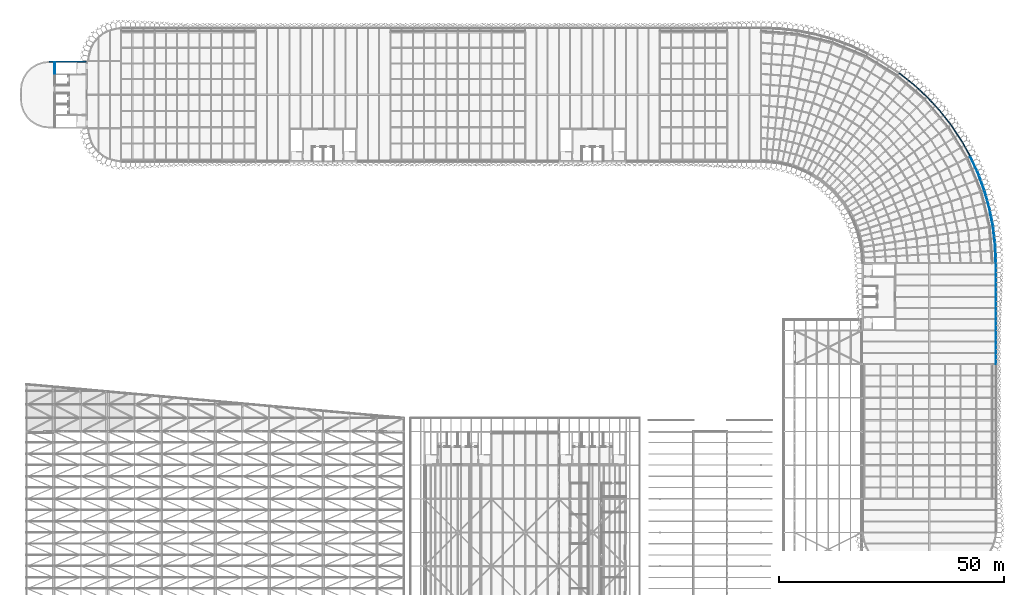
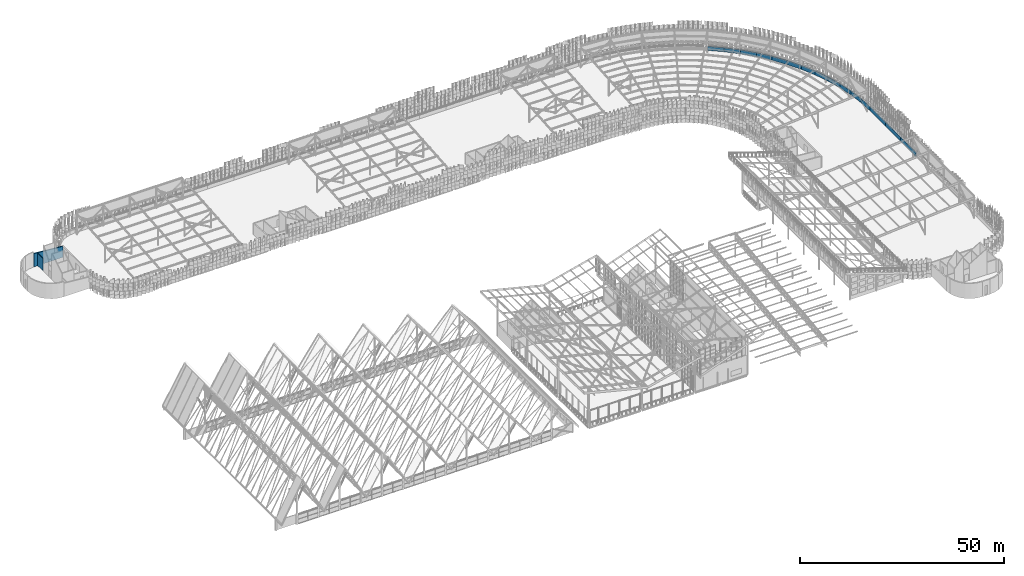
# One storey, part 126 of 483: 17 walls.
"""IFC4 building model written with IfcOpenShell, lengths in metres."""

from ifc_helpers import new_model, si_unit, direction, frame, frame_2d, origin, place, context, subcontext, project, spatial, polyline, rectangle, outline, extrude, material, layer, layer_set, type_object, element, save


model = new_model("IFC4")

# Units and contexts
model_context = context("Model", 3, precision=1e-05, world=origin(), true_north=direction((0.0, 1.0)))
body_context = subcontext(model_context, "Body", "Model", "MODEL_VIEW")
ifc_project = project(units=[si_unit("LENGTHUNIT", "METRE"), si_unit("AREAUNIT", "SQUARE_METRE"), si_unit("VOLUMEUNIT", "CUBIC_METRE"), si_unit("PLANEANGLEUNIT", "RADIAN"), si_unit("MASSUNIT", "GRAM", prefix="KILO")], contexts=[model_context])

# Site, building, storey
site_placement = place(None, origin())
site = spatial("IfcSite", under=ifc_project, at=site_placement, CompositionType="ELEMENT")
building_placement = place(site_placement, origin())
building = spatial("IfcBuilding", under=site, at=building_placement, Name="Parallax Yard Mobility Hub", CompositionType="ELEMENT")
storey_placement = place(building_placement, frame((0.0, 0.0, 13.199951171875)))
storey = spatial("IfcBuildingStorey", under=building, at=storey_placement, Name="L04", CompositionType="ELEMENT", Elevation=13.199951171875)

# Walls
ifc_material = material(Name="Concrete fc' 35 MPa", Category="concrete")
ifc_layer_1 = layer(ifc_material, 0.300048828125)
ifc_layer_set_1 = layer_set([ifc_layer_1], Name="Concrete fc' 35 MPa core wall 300")
wall_type_1 = type_object("IfcWallType", Name="Concrete fc' 35 MPa core wall 300", PredefinedType="SHEAR", material=ifc_layer_set_1)
wall_1_placement = place(storey_placement, frame((14.0, 134.85009765625, 0.0), z_axis=(0.0, 0.0, 1.0), x_axis=(1.0, 0.0, 0.0)))
element("IfcWall", 1, at=wall_1_placement, inside=storey, type_object=wall_type_1, Name="Core C-W east-side end wall level L04", PredefinedType="SHEAR", context=body_context, shape_type="SweptSolid", body=[
    extrude(outline(polyline([(0.0, 0.0), (8.199951171875, 0.0), (8.199951171875, 3.300048828125), (0.0, 3.9833984375), (0.0, 0.0)])), frame((0.0, 0.14990234375, 0.0), z_axis=(0.0, -1.0, 0.0), x_axis=(1.0, 0.0, 0.0)), (0.0, 0.0, 1.0), 0.300048828125),
])
ifc_layer_2 = layer(ifc_material, 0.199951171875)
ifc_layer_set_2 = layer_set([ifc_layer_2], Name="Concrete fc' 35 MPa internal core wall 200")
wall_type_2 = type_object("IfcWallType", Name="Concrete fc' 35 MPa internal core wall 200", PredefinedType="STANDARD", material=ifc_layer_set_2)
wall_2_placement = place(storey_placement, frame((15.199951171875, 132.14990234375, 0.0), z_axis=(0.0, 0.0, 1.0), x_axis=(0.0, 1.0, 0.0)))
element("IfcWall", 2, at=wall_2_placement, inside=storey, type_object=wall_type_2, Name="Core C-W plant wall 5 part 5 level L04", PredefinedType="STANDARD", context=body_context, shape_type="SweptSolid", body=[
    extrude(rectangle(XDim=2.550048828125, YDim=0.199951171875, at=frame_2d((1.27490234375, 0.0))), origin(), (0.0, 0.0, 1.0), 3.683349609375),
])
ifc_layer_3 = layer(ifc_material, 0.199951171875)
ifc_layer_set_3 = layer_set([ifc_layer_3], Name="Roof parapet wall, Concrete fc' 35 MPa precast, 200")
wall_type_3 = type_object("IfcWallType", Name="Roof parapet wall, Concrete fc' 35 MPa precast, 200", PredefinedType="SOLIDWALL", material=ifc_layer_set_3)
for number, where, z_axis, x_axis, name in (
    (3, (224.85400390625, 67.502197265625, 0.0), (0.0, 0.0, 1.0), (0.0, 1.0, 0.0), "Roof parapet wall bay 38 level L04"),
    (4, (224.85400390625, 75.002197265625, 0.0), (0.0, 0.0, 1.0), (0.0, 1.0, 0.0), "Roof parapet wall bay 39 level L04"),
):
    element("IfcWall", number, at=place(storey_placement, frame(where, z_axis=z_axis, x_axis=x_axis)), inside=storey, type_object=wall_type_3, Name=name, PredefinedType="SOLIDWALL", context=body_context, shape_type="SweptSolid", body=[
        extrude(rectangle(XDim=7.49609375, YDim=0.199951171875, at=frame_2d((3.748046875, 0.0))), origin(), (0.0, 0.0, 1.0), 1.199951171875),
    ])
wall_3_placement = place(storey_placement, frame((224.85400390625, 82.502197265625, 0.0), z_axis=(0.0, 0.0, 1.0), x_axis=(0.0, 1.0, 0.0)))
element("IfcWall", 5, at=wall_3_placement, inside=storey, type_object=wall_type_3, Name="Roof parapet wall bay 40 level L04", PredefinedType="SOLIDWALL", context=body_context, shape_type="SweptSolid", body=[
    extrude(rectangle(XDim=7.4921875, YDim=0.199951171875, at=frame_2d((3.74609375, 0.0))), origin(), (0.0, 0.0, 1.0), 1.199951171875),
])
wall_4_placement = place(storey_placement, frame((224.853759765625, 90.00048828125, 0.0), z_axis=(0.0, 0.0, 1.0), x_axis=(-0.040205559905, 0.999191429583, 0.0)))
element("IfcWall", 6, at=wall_4_placement, inside=storey, type_object=wall_type_3, Name="Roof parapet wall bay 41-1 level L04", PredefinedType="SOLIDWALL", context=body_context, shape_type="SweptSolid", body=[
    extrude(rectangle(XDim=4.10498046875, YDim=0.199951171875, at=frame_2d((2.052490234375, 0.0))), origin(), (0.0, 0.0, 1.0), 1.199951171875),
])
wall_5_placement = place(storey_placement, frame((224.68798828125, 94.112548828125, 0.0), z_axis=(0.0, 0.0, 1.0), x_axis=(-0.117936148591, 0.993021180467, 0.0)))
element("IfcWall", 7, at=wall_5_placement, inside=storey, type_object=wall_type_3, Name="Roof parapet wall bay 41-2 level L04", PredefinedType="SOLIDWALL", context=body_context, shape_type="SweptSolid", body=[
    extrude(rectangle(XDim=4.100830078125, YDim=0.199951171875, at=frame_2d((2.05029296875, 0.0))), origin(), (0.0, 0.0, 1.0), 1.199951171875),
])
wall_6_placement = place(storey_placement, frame((224.203125, 98.193359375, 0.0), z_axis=(0.0, 0.0, 1.0), x_axis=(-0.194776565659, 0.980847638255, 0.0)))
element("IfcWall", 8, at=wall_6_placement, inside=storey, type_object=wall_type_3, Name="Roof parapet wall bay 42-1 level L04", PredefinedType="SOLIDWALL", context=body_context, shape_type="SweptSolid", body=[
    extrude(rectangle(XDim=4.101318359375, YDim=0.199951171875, at=frame_2d((2.05078125, 0.0))), origin(), (0.0, 0.0, 1.0), 1.199951171875),
])
wall_7_placement = place(storey_placement, frame((223.402099609375, 102.22607421875, 0.0), z_axis=(0.0, 0.0, 1.0), x_axis=(-0.27058354604, 0.962696496624, 0.0)))
element("IfcWall", 9, at=wall_7_placement, inside=storey, type_object=wall_type_3, Name="Roof parapet wall bay 42-2 level L04", PredefinedType="SOLIDWALL", context=body_context, shape_type="SweptSolid", body=[
    extrude(rectangle(XDim=4.101806640625, YDim=0.199951171875, at=frame_2d((2.05078125, 0.0))), origin(), (0.0, 0.0, 1.0), 1.199951171875),
])
for number, where, z_axis, x_axis, name in (
    (10, (222.289794921875, 106.1826171875, 0.0), (0.0, 0.0, 1.0), (-0.347009929054, 0.937861455193, 0.0), "Roof parapet wall bay 43-1 level L04"),
    (11, (220.86279296875, 110.038330078125, 0.0), (0.0, 0.0, 1.0), (-0.418990222038, 0.907990745457, 0.0), "Roof parapet wall bay 43-2 level L04"),
    (12, (219.140625, 113.769287109375, 0.0), (0.0, 0.0, 1.0), (-0.488284283509, 0.872684627158, 0.0), "Roof parapet wall bay 44-1 level L04"),
    (13, (217.1328125, 117.35693359375, 0.0), (0.0, 0.0, 1.0), (-0.554768883888, 0.832004498467, 0.0), "Roof parapet wall bay 44-2 level L04"),
):
    element("IfcWall", number, at=place(storey_placement, frame(where, z_axis=z_axis, x_axis=x_axis)), inside=storey, type_object=wall_type_3, Name=name, PredefinedType="SOLIDWALL", context=body_context, shape_type="SweptSolid", body=[
        extrude(rectangle(XDim=4.10107421875, YDim=0.199951171875, at=frame_2d((2.050537109375, 0.0))), origin(), (0.0, 0.0, 1.0), 1.199951171875),
    ])
wall_8_placement = place(storey_placement, frame((214.85302734375, 120.77587890625, 0.0), z_axis=(0.0, 0.0, 1.0), x_axis=(-0.619877784257, 0.784698370449, 0.0)))
element("IfcWall", 14, at=wall_8_placement, inside=storey, type_object=wall_type_3, Name="Roof parapet wall bay 45-1 level L04", PredefinedType="SOLIDWALL", context=body_context, shape_type="SweptSolid", body=[
    extrude(rectangle(XDim=4.1015625, YDim=0.199951171875, at=frame_2d((2.05078125, 0.0))), origin(), (0.0, 0.0, 1.0), 1.199951171875),
])
wall_9_placement = place(storey_placement, frame((212.3037109375, 124.002197265625, 0.0), z_axis=(0.0, 0.0, 1.0), x_axis=(-0.679038773622, 0.73410240697, 0.0)))
element("IfcWall", 15, at=wall_9_placement, inside=storey, type_object=wall_type_3, Name="Roof parapet wall bay 45-2 level L04", PredefinedType="SOLIDWALL", context=body_context, shape_type="SweptSolid", body=[
    extrude(rectangle(XDim=4.101318359375, YDim=0.199951171875, at=frame_2d((2.05078125, 0.0))), origin(), (0.0, 0.0, 1.0), 1.199951171875),
])
wall_10_placement = place(storey_placement, frame((209.512451171875, 127.019287109375, 0.0), z_axis=(0.0, 0.0, 1.0), x_axis=(-0.734106859266, 0.679033960254, 0.0)))
element("IfcWall", 16, at=wall_10_placement, inside=storey, type_object=wall_type_3, Name="Roof parapet wall bay 46-1 level L04", PredefinedType="SOLIDWALL", context=body_context, shape_type="SweptSolid", body=[
    extrude(rectangle(XDim=4.1005859375, YDim=0.199951171875, at=frame_2d((2.05029296875, 0.0))), origin(), (0.0, 0.0, 1.0), 1.199951171875),
])
wall_11_placement = place(storey_placement, frame((206.494384765625, 129.810546875, 0.0), z_axis=(0.0, 0.0, 1.0), x_axis=(-0.784681577591, 0.61989904161, 0.0)))
element("IfcWall", 17, at=wall_11_placement, inside=storey, type_object=wall_type_3, Name="Roof parapet wall bay 46-2 level L04", PredefinedType="SOLIDWALL", context=body_context, shape_type="SweptSolid", body=[
    extrude(rectangle(XDim=4.10107421875, YDim=0.199951171875, at=frame_2d((2.050537109375, 0.0))), origin(), (0.0, 0.0, 1.0), 1.199951171875),
])

save(model, "model.ifc")
